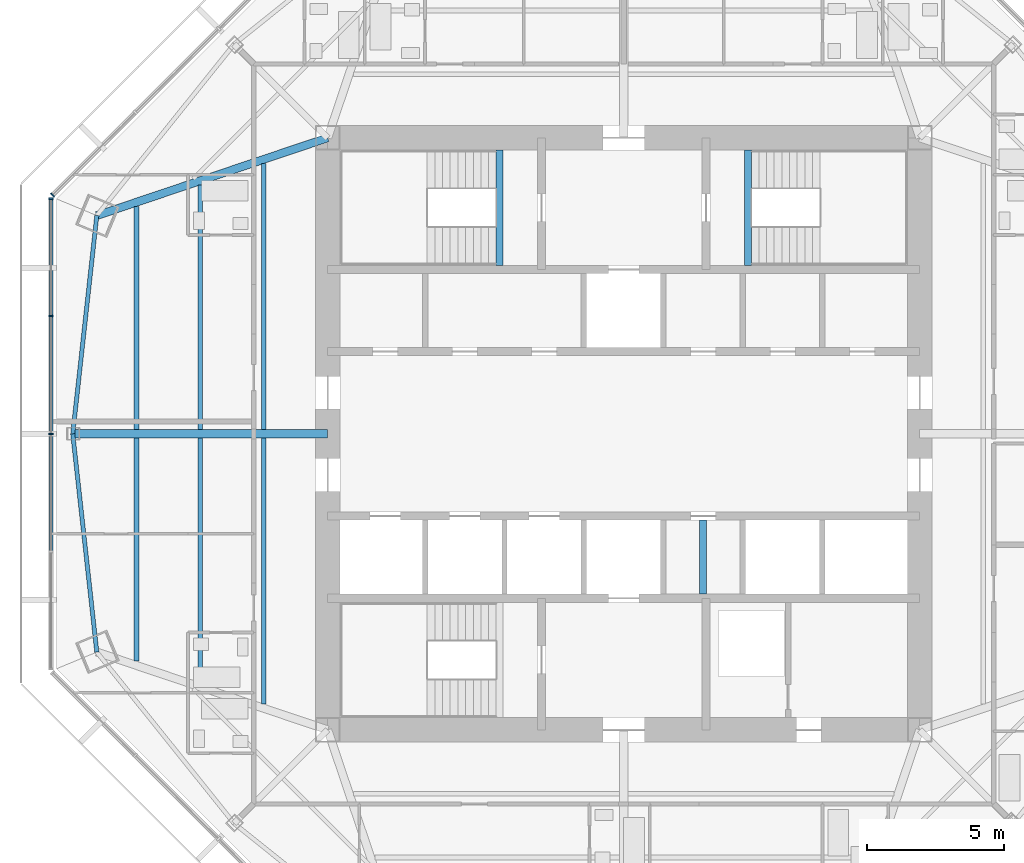
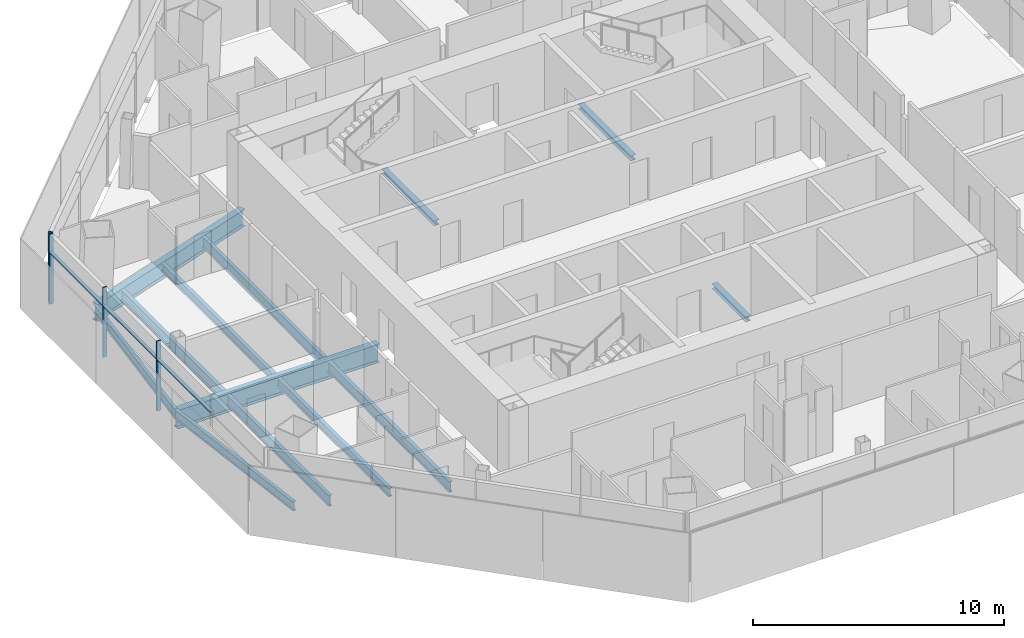
# One storey, part 3 of 14: 13 beams, 7 members, 2 elements without a shape of their own.
"""IFC4 building model written with IfcOpenShell, lengths in metres."""

import ifcopenshell
import ifcopenshell.guid

model = None  # the IFC model being written
_history = None  # IfcOwnerHistory: only IFC2X3 demands one
_inside = {}  # id of a spatial element -> (the spatial element, [elements in it])
_under = {}  # id of a project, library or spatial element -> (it, [spatial elements below it])
_declared = {}  # id of a project -> (the project, [libraries it declares])
_typed = {}  # id of a type object -> (the type object, [elements of that type])
_made_of = {}  # id of a material, layer set ... -> (it, [elements and type objects made of it])


def new_model(schema):
    """Start an empty IFC model of exactly this schema.

    Asked for "IFC4X3", IfcOpenShell would pick the latest addendum, in which some entities
    have other attributes; the version numbers below select the first issue.
    IFC2X3 requires an IfcOwnerHistory on every rooted entity: one is made here for all.
    """
    global model, _history
    if schema == "IFC4X3":
        model = ifcopenshell.file(schema_version=(4, 3, 0, 0))
    else:
        model = ifcopenshell.file(schema=schema)
    _inside.clear()
    _under.clear()
    _declared.clear()
    _typed.clear()
    _made_of.clear()
    _history = None
    if model.schema == "IFC2X3":
        org = make("IfcOrganization", Name="unknown")
        user = make(
            "IfcPersonAndOrganization",
            ThePerson=make("IfcPerson", FamilyName="unknown"),
            TheOrganization=org,
        )
        app = make(
            "IfcApplication",
            ApplicationDeveloper=org,
            Version="unknown",
            ApplicationFullName="unknown",
            ApplicationIdentifier="unknown",
        )
        _history = make(
            "IfcOwnerHistory",
            OwningUser=user,
            OwningApplication=app,
            ChangeAction="ADDED",
            CreationDate=0,
        )
    return model


def make(cls, **values):
    """One entity of the class cls with the attributes given. An attribute that is None is left unset."""
    return model.create_entity(
        cls, **{name: value for name, value in values.items() if value is not None}
    )


def rooted(cls, **values):
    """An entity with a GlobalId (a new one), such as an element, a storey or a relation."""
    return make(cls, GlobalId=ifcopenshell.guid.new(), OwnerHistory=_history, **values)


def si_unit(unit_type, name, prefix=None):
    """IfcSIUnit, for example si_unit("LENGTHUNIT", "METRE", prefix="MILLI")."""
    return make("IfcSIUnit", UnitType=unit_type, Prefix=prefix, Name=name)


def assignment(units):
    """IfcUnitAssignment: the units of a project."""
    return None if units is None else make("IfcUnitAssignment", Units=units)


def point(xyz):
    """IfcCartesianPoint."""
    return None if xyz is None else make("IfcCartesianPoint", Coordinates=xyz)


def direction(xyz):
    """IfcDirection."""
    return None if xyz is None else make("IfcDirection", DirectionRatios=xyz)


def frame(location, z_axis=None, x_axis=None):
    """IfcAxis2Placement3D, a coordinate frame: its origin and axes. An axis left out is left unset."""
    return make(
        "IfcAxis2Placement3D",
        Location=point(location),
        Axis=direction(z_axis),
        RefDirection=direction(x_axis),
    )


def frame_2d(location, x_axis=None):
    """IfcAxis2Placement2D, a coordinate frame in the plane: its origin and x axis."""
    return make(
        "IfcAxis2Placement2D", Location=point(location), RefDirection=direction(x_axis)
    )


def origin():
    """The frame at (0, 0, 0) with its axes left unset."""
    return frame((0.0, 0.0, 0.0))


def origin_2d():
    """The frame at (0, 0) in the plane with its x axis left unset."""
    return frame_2d((0.0, 0.0))


def place(relative_to, where):
    """IfcLocalPlacement: puts the frame where relative to a parent placement (None: the world)."""
    return make(
        "IfcLocalPlacement", PlacementRelTo=relative_to, RelativePlacement=where
    )


def context(
    kind, dimensions, precision=None, world=None, true_north=None, identifier=None
):
    """IfcGeometricRepresentationContext, for example the 3D "Model" context."""
    return make(
        "IfcGeometricRepresentationContext",
        ContextIdentifier=identifier,
        ContextType=kind,
        CoordinateSpaceDimension=dimensions,
        Precision=precision,
        WorldCoordinateSystem=world,
        TrueNorth=true_north,
    )


def subcontext(parent, identifier, kind, view, scale=None):
    """IfcGeometricRepresentationSubContext, for example "Body" below "Model"."""
    return make(
        "IfcGeometricRepresentationSubContext",
        ContextIdentifier=identifier,
        ContextType=kind,
        ParentContext=parent,
        TargetScale=scale,
        TargetView=view,
    )


def project(units=None, contexts=None):
    """IfcProject with its units and contexts."""
    return rooted(
        "IfcProject",
        Name="project",
        RepresentationContexts=contexts,
        UnitsInContext=assignment(units),
    )


def spatial(cls, under=None, at=None, **own):
    """A site, building, storey or space (cls), placed at a placement, below another one or the project."""
    s = rooted(cls, ObjectPlacement=at, **own)
    if under is not None:
        _under.setdefault(under.id(), (under, []))[1].append(s)
    return s


def profile(cls, at=None, kind="AREA", **sizes):
    """A parametric profile (cls). Its sizes go by their IFC names, for example OverallWidth=200.0."""
    return make(cls, ProfileType=kind, Position=at, **sizes)


def rectangle(**sizes):
    """IfcRectangleProfileDef."""
    return profile("IfcRectangleProfileDef", **sizes)


def i_section(**sizes):
    """IfcIShapeProfileDef."""
    return profile("IfcIShapeProfileDef", **sizes)


def extrude(swept, where, along, depth):
    """IfcExtrudedAreaSolid: the profile swept, set in the frame where, extruded along a direction by depth."""
    return make(
        "IfcExtrudedAreaSolid",
        SweptArea=swept,
        Position=where,
        ExtrudedDirection=direction(along),
        Depth=depth,
    )


def shape(context_of_items, identifier, shape_type, items):
    """IfcShapeRepresentation: the items that make up one representation, for example the "Body"."""
    return make(
        "IfcShapeRepresentation",
        ContextOfItems=context_of_items,
        RepresentationIdentifier=identifier,
        RepresentationType=shape_type,
        Items=items,
    )


def source(mapping_origin, context_of_items, identifier, shape_type, items):
    """IfcRepresentationMap: a shape defined once, which mapped items show again and again."""
    return make(
        "IfcRepresentationMap",
        MappingOrigin=mapping_origin,
        MappedRepresentation=shape(context_of_items, identifier, shape_type, items),
    )


def transform(
    local_origin,
    x_axis=None,
    y_axis=None,
    z_axis=None,
    scale=None,
    scale2=None,
    scale3=None,
    uniform=True,
):
    """IfcCartesianTransformationOperator3D, or its non-uniform kind. x_axis, y_axis, z_axis: its Axis1, 2, 3."""
    if uniform:
        return make(
            "IfcCartesianTransformationOperator3D",
            Axis1=direction(x_axis),
            Axis2=direction(y_axis),
            LocalOrigin=point(local_origin),
            Scale=scale,
            Axis3=direction(z_axis),
        )
    return make(
        "IfcCartesianTransformationOperator3DnonUniform",
        Axis1=direction(x_axis),
        Axis2=direction(y_axis),
        LocalOrigin=point(local_origin),
        Scale=scale,
        Axis3=direction(z_axis),
        Scale2=scale2,
        Scale3=scale3,
    )


def mapped(mapping_source, mapping_target):
    """IfcMappedItem: shows the shape of a source again, moved by a transform."""
    return make(
        "IfcMappedItem", MappingSource=mapping_source, MappingTarget=mapping_target
    )


def material(Name=None, Category=None):
    """IfcMaterial."""
    return make("IfcMaterial", Name=Name, Category=Category)


def material_profile(
    of_material, cross_section, Name=None, Category=None, Priority=None
):
    """IfcMaterialProfile: a cross section and its material."""
    return make(
        "IfcMaterialProfile",
        Name=Name,
        Material=of_material,
        Profile=cross_section,
        Priority=Priority,
        Category=Category,
    )


def profile_set(profiles, Name=None, composite=None):
    """IfcMaterialProfileSet."""
    return make(
        "IfcMaterialProfileSet",
        Name=Name,
        MaterialProfiles=profiles,
        CompositeProfile=composite,
    )


def made_of(thing, what):
    """Note that an element or type object is made of a material, layer set ...; save() writes the relation."""
    if what is not None:
        _made_of.setdefault(what.id(), (what, []))[1].append(thing)
    return thing


def type_object(cls, material=None, **own):
    """A type object (cls), such as IfcWallType, which elements share."""
    return made_of(rooted(cls, **own), material)


def type_shapes(of_type, sources):
    """Give a type object the sources (RepresentationMaps) that its elements show as mapped items."""
    of_type.RepresentationMaps = sources


def element(
    cls,
    number,
    at=None,
    inside=None,
    cuts=None,
    type_object=None,
    material=None,
    context=None,
    identifier="Body",
    shape_type=None,
    held_by="IfcProductDefinitionShape",
    body=None,
    shapes=None,
    **own,
):
    """One element of the class cls, such as IfcWall. Its Tag is "e" and its number.

    at: its placement. inside: the storey or other place that contains it. cuts: it is an
    opening in that element (IfcRelVoidsElement). A single representation is given by context,
    identifier, shape_type and body (its items); several are given by shapes. held_by: the class
    of the entity that holds the representations. save() writes the other relations.
    """
    e = rooted(cls, Tag="e%d" % number, ObjectPlacement=at, **own)
    if body is not None:
        shapes = [shape(context, identifier, shape_type, body)]
    if shapes is not None:
        e.Representation = make(held_by, Representations=shapes)
    if inside is not None:
        _inside.setdefault(inside.id(), (inside, []))[1].append(e)
    if cuts is not None:
        rooted(
            "IfcRelVoidsElement", RelatingBuildingElement=cuts, RelatedOpeningElement=e
        )
    if type_object is not None:
        _typed.setdefault(type_object.id(), (type_object, []))[1].append(e)
    return made_of(e, material)


def aggregate(whole, parts):
    """IfcRelAggregates: a whole, such as a stair, and the parts it consists of."""
    return rooted("IfcRelAggregates", RelatingObject=whole, RelatedObjects=parts)


def save(model, path):
    """Write the relations noted so far, then the file.

    IfcRelAggregates (storeys below a building ...), IfcRelContainedInSpatialStructure (elements
    in a storey), IfcRelDefinesByType, IfcRelAssociatesMaterial and IfcRelDeclares: one each for
    every whole, place, type object, material and project.
    """
    for whole, parts in _under.values():
        aggregate(whole, parts)
    for where, things in _inside.values():
        rooted(
            "IfcRelContainedInSpatialStructure",
            RelatedElements=things,
            RelatingStructure=where,
        )
    for kind, things in _typed.values():
        rooted("IfcRelDefinesByType", RelatedObjects=things, RelatingType=kind)
    for what, things in _made_of.values():
        rooted("IfcRelAssociatesMaterial", RelatedObjects=things, RelatingMaterial=what)
    for by, libraries in _declared.values():
        rooted("IfcRelDeclares", RelatingContext=by, RelatedDefinitions=libraries)
    model.write(path)


model = new_model("IFC4")

# Units and contexts
model_context = context("Model", 3, precision=1e-05, world=origin(), true_north=direction((0.0, 1.0)))
body_context = subcontext(model_context, "Body", "Model", "MODEL_VIEW")
ifc_project = project(units=[si_unit("LENGTHUNIT", "METRE"), si_unit("AREAUNIT", "SQUARE_METRE"), si_unit("VOLUMEUNIT", "CUBIC_METRE"), si_unit("PLANEANGLEUNIT", "RADIAN"), si_unit("MASSUNIT", "GRAM", prefix="KILO")], contexts=[model_context])

# Site, building, storey
site_placement = place(None, origin())
site = spatial("IfcSite", under=ifc_project, at=site_placement, CompositionType="ELEMENT")
building_placement = place(site_placement, origin())
building = spatial("IfcBuilding", under=site, at=building_placement, Name="Mashrafa Tower", CompositionType="ELEMENT")
storey_placement = place(building_placement, frame((0.0, 0.0, 251.60009765625)))
storey = spatial("IfcBuildingStorey", under=building, at=storey_placement, Name="L60", CompositionType="ELEMENT", Elevation=251.60009765625)

# Beams
ifc_material_1 = material(Name="Steel ASTM A992", Category="steel")
ifc_material_profile_1 = material_profile(ifc_material_1, i_section(OverallWidth=0.177734375, OverallDepth=0.406494140625, WebThickness=0.0078125, FlangeThickness=0.012939453125, FilletRadius=0.01025390625, at=origin_2d()), Name="W16X40")
ifc_profile_set_1 = profile_set([ifc_material_profile_1], Name="Steel ASTM A992")
beam_type_1 = type_object("IfcBeamType", Name="Beam W16X40", PredefinedType="BEAM", material=ifc_profile_set_1)
for number, where, z_axis, x_axis, name in (
    (1, (-15.451416015625, -9.07958984375, -0.4033203125), (0.0, 1.0, 0.0), (-1.0, 0.0, 0.0), "Floor beam L60 004"),
    (2, (-15.451416015625, 0.15234375, -0.4033203125), (0.0, 1.0, 0.0), (-1.0, 0.0, 0.0), "Floor beam L60 005"),
):
    element("IfcBeam", number, at=place(storey_placement, frame(where, z_axis=z_axis, x_axis=x_axis)), inside=storey, type_object=beam_type_1, Name=name, PredefinedType="BEAM", context=body_context, shape_type="SweptSolid", body=[
        extrude(i_section(OverallWidth=0.177734375, OverallDepth=0.406494140625, WebThickness=0.0078125, FlangeThickness=0.012939453125, FilletRadius=0.01025390625, at=origin_2d()), origin(), (0.0, 0.0, 1.0), 8.92724609375),
    ])
ifc_material_2 = material(Name="Steel ASTM A992", Category="steel")
ifc_material_profile_2 = material_profile(ifc_material_2, i_section(OverallWidth=0.15234375, OverallDepth=0.449462890625, WebThickness=0.007568359375, FlangeThickness=0.0107421875, FilletRadius=0.01025390625, at=origin_2d()), Name="W18X35")
ifc_profile_set_2 = profile_set([ifc_material_profile_2], Name="Steel ASTM A992")
beam_type_2 = type_object("IfcBeamType", Name="Beam W18X35", PredefinedType="BEAM", material=ifc_profile_set_2)
for number, where, z_axis, x_axis, name in (
    (3, (-20.10302734375, 0.0, -0.4248046875), (0.109615377287, -0.993974078667, 0.0), (0.993974078667, 0.109615377287, 0.0), "Spandrel beam L60 049"),
    (4, (-19.224853515625, 7.963134765625, -0.4248046875), (-0.109615377287, -0.993974078667, 0.0), (0.993974078667, -0.109615377287, 0.0), "Spandrel beam L60 051"),
):
    element("IfcBeam", number, at=place(storey_placement, frame(where, z_axis=z_axis, x_axis=x_axis)), inside=storey, type_object=beam_type_2, Name=name, PredefinedType="BEAM", context=body_context, shape_type="SweptSolid", body=[
        extrude(i_section(OverallWidth=0.15234375, OverallDepth=0.449462890625, WebThickness=0.007568359375, FlangeThickness=0.0107421875, FilletRadius=0.01025390625, at=origin_2d()), origin(), (0.0, 0.0, 1.0), 8.011474609375),
    ])
ifc_material_3 = material(Name="Steel ASTM A992", Category="steel")
ifc_material_profile_3 = material_profile(ifc_material_3, i_section(OverallWidth=0.165771484375, OverallDepth=0.5283203125, WebThickness=0.009765625, FlangeThickness=0.013671875, FilletRadius=0.012939453125, at=origin_2d()), Name="W21X50")
ifc_profile_set_3 = profile_set([ifc_material_profile_3], Name="Steel ASTM A992")
beam_type_3 = type_object("IfcBeamType", Name="Beam W21X50", PredefinedType="BEAM", material=ifc_profile_set_3)
for number, where, z_axis, x_axis, name in (
    (5, (-17.77734375, -8.29638671875, -0.46435546875), (0.0, 1.0, 0.0), (-1.0, 0.0, 0.0), "Floor beam L60 001"),
    (6, (-17.77734375, 0.15234375, -0.46435546875), (0.0, 1.0, 0.0), (-1.0, 0.0, 0.0), "Floor beam L60 002"),
):
    element("IfcBeam", number, at=place(storey_placement, frame(where, z_axis=z_axis, x_axis=x_axis)), inside=storey, type_object=beam_type_3, Name=name, PredefinedType="BEAM", context=body_context, shape_type="SweptSolid", body=[
        extrude(i_section(OverallWidth=0.165771484375, OverallDepth=0.5283203125, WebThickness=0.009765625, FlangeThickness=0.013671875, FilletRadius=0.012939453125, at=origin_2d()), origin(), (0.0, 0.0, 1.0), 8.14404296875),
    ])
for number, where, z_axis, x_axis, name in (
    (7, (-13.125732421875, -9.86279296875, -0.46435546875), (0.0, 1.0, 0.0), (-1.0, 0.0, 0.0), "Floor beam L60 006"),
    (8, (-13.125732421875, 0.15234375, -0.46435546875), (0.0, 1.0, 0.0), (-1.0, 0.0, 0.0), "Floor beam L60 007"),
):
    element("IfcBeam", number, at=place(storey_placement, frame(where, z_axis=z_axis, x_axis=x_axis)), inside=storey, type_object=beam_type_3, Name=name, PredefinedType="BEAM", context=body_context, shape_type="SweptSolid", body=[
        extrude(i_section(OverallWidth=0.165771484375, OverallDepth=0.5283203125, WebThickness=0.009765625, FlangeThickness=0.013671875, FilletRadius=0.012939453125, at=origin_2d()), origin(), (0.0, 0.0, 1.0), 9.71044921875),
    ])
ifc_material_4 = material(Name="Steel ASTM A992", Category="steel")
ifc_material_profile_4 = material_profile(ifc_material_4, i_section(OverallWidth=0.2919921875, OverallDepth=0.8408203125, WebThickness=0.0146484375, FlangeThickness=0.021728515625, FilletRadius=0.017333984375, at=origin_2d()), Name="W33X130")
ifc_profile_set_4 = profile_set([ifc_material_profile_4], Name="Steel ASTM A992")
beam_type_4 = type_object("IfcBeamType", Name="Beam W33X130", PredefinedType="BEAM", material=ifc_profile_set_4)
beam_1_placement = place(storey_placement, frame((-10.800048828125, 10.800048828125, -0.620361328125), z_axis=(-0.947712148196, -0.319126439146, 0.0), x_axis=(0.319126439146, -0.947712148196, 0.0)))
element("IfcBeam", 9, at=beam_1_placement, inside=storey, type_object=beam_type_4, Name="Radial girder L60 037", PredefinedType="BEAM", context=body_context, shape_type="SweptSolid", body=[
    extrude(i_section(OverallWidth=0.2919921875, OverallDepth=0.8408203125, WebThickness=0.0146484375, FlangeThickness=0.021728515625, FilletRadius=0.017333984375, at=origin_2d()), origin(), (0.0, 0.0, 1.0), 8.8896484375),
])
ifc_material_5 = material(Name="Steel ASTM A992", Category="steel")
ifc_material_profile_5 = material_profile(ifc_material_5, i_section(OverallWidth=0.3046875, OverallDepth=0.911865234375, WebThickness=0.015869140625, FlangeThickness=0.02392578125, FilletRadius=0.01904296875, at=origin_2d()), Name="W36X150")
ifc_profile_set_5 = profile_set([ifc_material_profile_5], Name="Steel ASTM A992")
beam_type_5 = type_object("IfcBeamType", Name="Beam W36X150", PredefinedType="BEAM", material=ifc_profile_set_5)
beam_2_placement = place(storey_placement, frame((-10.800048828125, 0.0, -0.656005859375), z_axis=(-1.0, 0.0, 0.0), x_axis=(0.0, -1.0, 0.0)))
element("IfcBeam", 10, at=beam_2_placement, inside=storey, type_object=beam_type_5, Name="Radial girder L60 036", PredefinedType="BEAM", context=body_context, shape_type="SweptSolid", body=[
    extrude(i_section(OverallWidth=0.3046875, OverallDepth=0.911865234375, WebThickness=0.015869140625, FlangeThickness=0.02392578125, FilletRadius=0.01904296875, at=origin_2d()), origin(), (0.0, 0.0, 1.0), 9.302978515625),
])
ifc_material_6 = material(Name="Steel ASTM A992", Category="steel")
ifc_material_profile_6 = material_profile(ifc_material_6, i_section(OverallWidth=0.25390625, OverallDepth=0.25390625, WebThickness=0.008544921875, FlangeThickness=0.01416015625, FilletRadius=0.010009765625, at=origin_2d()), Name="W10X49")
ifc_profile_set_6 = profile_set([ifc_material_profile_6], Name="Steel ASTM A992")
beam_type_6 = type_object("IfcBeamType", Name="Hoistway beam W10X49", PredefinedType="BEAM", material=ifc_profile_set_6)
beam_3_placement = place(storey_placement, frame((2.89990234375, -5.85009765625, -0.3271484375), z_axis=(0.0, 1.0, 0.0), x_axis=(-1.0, 0.0, 0.0)))
element("IfcBeam", 11, at=beam_3_placement, inside=storey, type_object=beam_type_6, Name="Hoistway beam L60 07", PredefinedType="BEAM", context=body_context, shape_type="SweptSolid", body=[
    extrude(i_section(OverallWidth=0.25390625, OverallDepth=0.25390625, WebThickness=0.008544921875, FlangeThickness=0.01416015625, FilletRadius=0.010009765625, at=origin_2d()), origin(), (0.0, 0.0, 1.0), 2.7001953125),
])
for number, where, z_axis, x_axis, name in (
    (12, (-4.530029296875, 6.14990234375, -0.3271484375), (0.0, 1.0, 0.0), (-1.0, 0.0, 0.0), "Stair S1 landing beam L60"),
    (13, (4.530029296875, 6.14990234375, -0.3271484375), (0.0, 1.0, 0.0), (-1.0, 0.0, 0.0), "Stair S2 landing beam L60"),
):
    element("IfcBeam", number, at=place(storey_placement, frame(where, z_axis=z_axis, x_axis=x_axis)), inside=storey, type_object=beam_type_6, Name=name, PredefinedType="BEAM", context=body_context, shape_type="SweptSolid", body=[
        extrude(i_section(OverallWidth=0.25390625, OverallDepth=0.25390625, WebThickness=0.008544921875, FlangeThickness=0.01416015625, FilletRadius=0.010009765625, at=origin_2d()), origin(), (0.0, 0.0, 1.0), 4.2001953125),
    ])

# Curtain wall, member
ifc_material_7 = material(Name="Unitised aluminium curtain wall", Category="aluminium")
curtain_wall_type = type_object("IfcCurtainWallType", Name="Apartment curtain wall, zone 3 CW-C 180 deep", PredefinedType="NOTDEFINED", material=ifc_material_7)
curtain_wall_1_placement = place(storey_placement, origin())
curtain_wall_1 = element("IfcCurtainWall", 14, at=curtain_wall_1_placement, inside=storey, type_object=curtain_wall_type, Name="Apartment curtain wall, zone 3 L60 north-west", PredefinedType="NOTDEFINED")
ifc_material_8 = material(Name="Extruded aluminium mullion", Category="aluminium")
ifc_material_profile_7 = material_profile(ifc_material_8, rectangle(XDim=0.179931640625, YDim=0.06005859375, at=origin_2d()), Name="Mullion 60x180")
ifc_profile_set_7 = profile_set([ifc_material_profile_7], Name="Extruded aluminium mullion")
member_type_1 = type_object("IfcMemberType", Name="Mullion CW-C 60 x 180", PredefinedType="MULLION", material=ifc_profile_set_7)
shared_shape_1 = source(origin(), body_context, "Body", "SweptSolid", [
    extrude(rectangle(XDim=0.179931640625, YDim=0.06005859375, at=origin_2d()), origin(), (0.0, 0.0, 1.0), 3.39990234375),
])
type_shapes(member_type_1, [shared_shape_1])
member_1_placement = place(storey_placement, frame((-20.8427734375, 8.710693359375, 0.0), z_axis=(0.0, 0.0, 1.0), x_axis=(0.707106781187, -0.707106781187, 0.0)))
member_1 = element("IfcMember", 15, at=member_1_placement, type_object=member_type_1, Name="CW-C mullion 5", PredefinedType="MULLION", context=body_context, shape_type="MappedRepresentation", body=[
    mapped(shared_shape_1, transform((0.0, 0.0, 0.0))),
])
aggregate(curtain_wall_1, [member_1])

# Curtain wall, members
curtain_wall_2_placement = place(storey_placement, origin())
curtain_wall_2 = element("IfcCurtainWall", 16, at=curtain_wall_2_placement, inside=storey, type_object=curtain_wall_type, Name="Apartment curtain wall, zone 3 L60 west", PredefinedType="NOTDEFINED")
member_2_placement = place(storey_placement, frame((-20.897216796875, 8.57861328125, 0.0), z_axis=(0.0, 0.0, 1.0), x_axis=(1.0, 0.0, 0.0)))
member_2 = element("IfcMember", 17, at=member_2_placement, type_object=member_type_1, Name="CW-C mullion 1", PredefinedType="MULLION", context=body_context, shape_type="MappedRepresentation", body=[
    mapped(shared_shape_1, transform((0.0, 0.0, 0.0))),
])
member_3_placement = place(storey_placement, frame((-20.897216796875, 4.304443359375, 0.0), z_axis=(0.0, 0.0, 1.0), x_axis=(1.0, 0.0, 0.0)))
member_3 = element("IfcMember", 18, at=member_3_placement, type_object=member_type_1, Name="CW-C mullion 2", PredefinedType="MULLION", context=body_context, shape_type="MappedRepresentation", body=[
    mapped(shared_shape_1, transform((0.0, 0.0, 0.0))),
])
member_4_placement = place(storey_placement, frame((-20.897216796875, 0.0, 0.0), z_axis=(0.0, 0.0, 1.0), x_axis=(1.0, 0.0, 0.0)))
member_4 = element("IfcMember", 19, at=member_4_placement, type_object=member_type_1, Name="CW-C mullion 3", PredefinedType="MULLION", context=body_context, shape_type="MappedRepresentation", body=[
    mapped(shared_shape_1, transform((0.0, 0.0, 0.0))),
])
ifc_material_9 = material(Name="Extruded aluminium transom", Category="aluminium")
ifc_material_profile_8 = material_profile(ifc_material_9, rectangle(XDim=0.14404296875, YDim=0.074951171875, at=origin_2d()), Name="Transom 75x144")
ifc_profile_set_8 = profile_set([ifc_material_profile_8], Name="Extruded aluminium transom")
member_type_2 = type_object("IfcMemberType", Name="Transom CW-C 75 x 144", PredefinedType="MULLION", material=ifc_profile_set_8)
shared_shape_2 = source(origin(), body_context, "Body", "SweptSolid", [
    extrude(rectangle(XDim=0.14404296875, YDim=0.074951171875, at=origin_2d()), origin(), (0.0, 0.0, 1.0), 4.21435546875),
])
member_5_placement = place(storey_placement, frame((-20.897216796875, 8.548583984375, 2.5), z_axis=(0.0, -1.0, 0.0), x_axis=(1.0, 0.0, 0.0)))
member_5 = element("IfcMember", 20, at=member_5_placement, type_object=member_type_2, Name="CW-C transom 1", PredefinedType="MULLION", context=body_context, shape_type="MappedRepresentation", body=[
    mapped(shared_shape_2, transform((0.0, 0.0, 0.0))),
])
shared_shape_3 = source(origin(), body_context, "Body", "SweptSolid", [
    extrude(rectangle(XDim=0.14404296875, YDim=0.074951171875, at=origin_2d()), origin(), (0.0, 0.0, 1.0), 4.244384765625),
])
type_shapes(member_type_2, [shared_shape_2, shared_shape_3])
member_6_placement = place(storey_placement, frame((-20.897216796875, 4.2744140625, 2.5), z_axis=(0.0, -1.0, 0.0), x_axis=(1.0, 0.0, 0.0)))
member_6 = element("IfcMember", 21, at=member_6_placement, type_object=member_type_2, Name="CW-C transom 2", PredefinedType="MULLION", context=body_context, shape_type="MappedRepresentation", body=[
    mapped(shared_shape_3, transform((0.0, 0.0, 0.0))),
])
member_7_placement = place(storey_placement, frame((-20.897216796875, -0.030029296875, 2.5), z_axis=(0.0, -1.0, 0.0), x_axis=(1.0, 0.0, 0.0)))
member_7 = element("IfcMember", 22, at=member_7_placement, type_object=member_type_2, Name="CW-C transom 3", PredefinedType="MULLION", context=body_context, shape_type="MappedRepresentation", body=[
    mapped(shared_shape_3, transform((0.0, 0.0, 0.0))),
])
aggregate(curtain_wall_2, [member_2, member_3, member_4, member_5, member_6, member_7])

save(model, "model.ifc")
